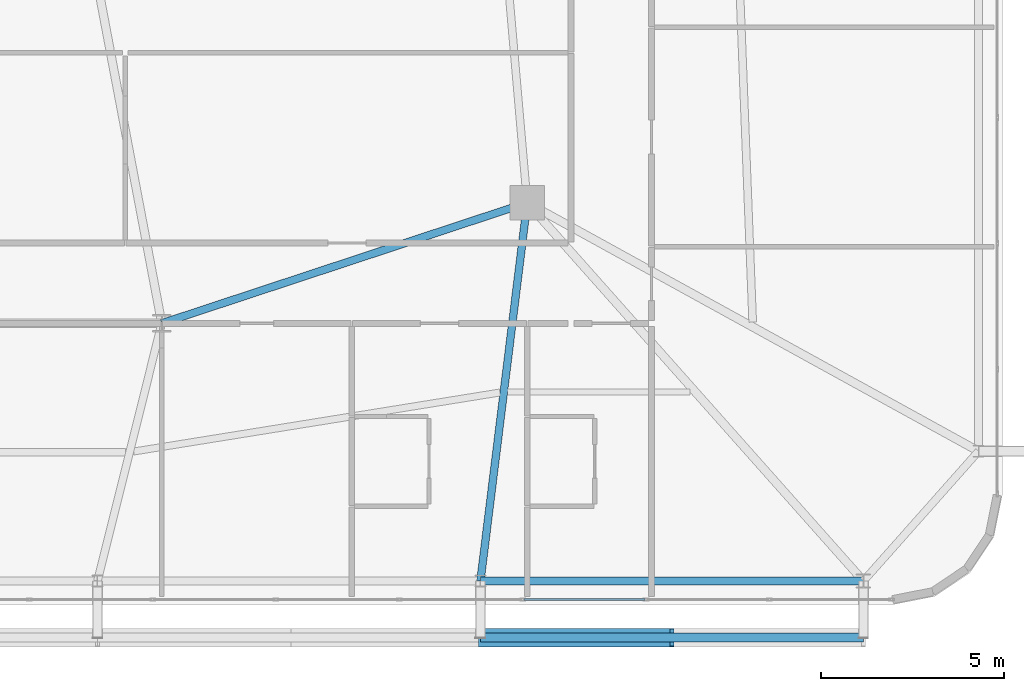
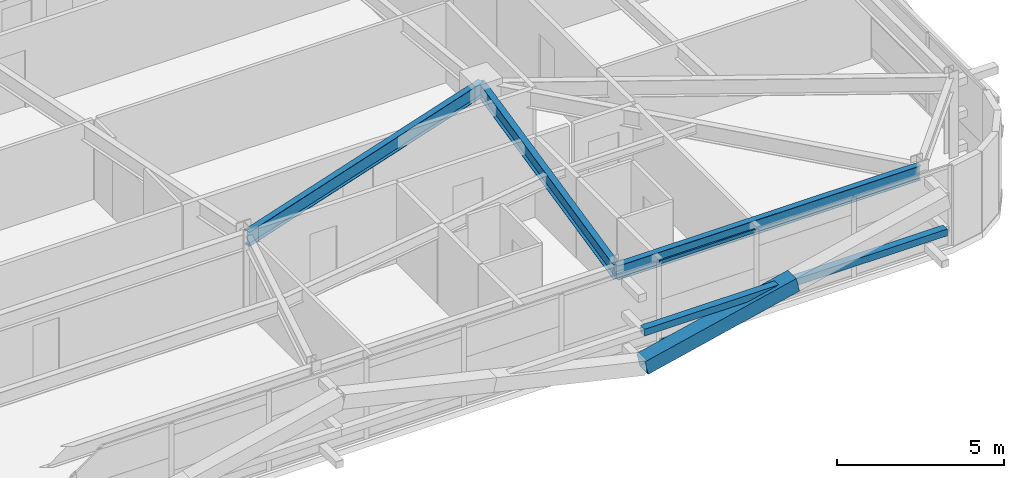
# One storey, part 22 of 59: 4 members, 3 beams, 1 element without a shape of its own.
"""IFC4 building model written with IfcOpenShell, lengths in metres."""

from ifc_helpers import new_model, si_unit, direction, frame, origin, origin_2d, place, context, subcontext, project, spatial, hollow_rectangle, i_section, extrude, source, transform, mapped, material, layer, layer_set, material_profile, profile_set, type_object, element, aggregate, save


model = new_model("IFC4")

# Units and contexts
model_context = context("Model", 3, precision=1e-05, world=origin(), true_north=direction((0.0, 1.0)))
body_context = subcontext(model_context, "Body", "Model", "MODEL_VIEW")
ifc_project = project(units=[si_unit("LENGTHUNIT", "METRE"), si_unit("AREAUNIT", "SQUARE_METRE"), si_unit("VOLUMEUNIT", "CUBIC_METRE"), si_unit("PLANEANGLEUNIT", "RADIAN"), si_unit("MASSUNIT", "GRAM", prefix="KILO")], contexts=[model_context])

# Site, building, storey
site_placement = place(None, origin())
site = spatial("IfcSite", under=ifc_project, at=site_placement, CompositionType="ELEMENT")
building_placement = place(site_placement, origin())
building = spatial("IfcBuilding", under=site, at=building_placement, Name="Taldren Reach Tower", CompositionType="ELEMENT")
storey_placement = place(building_placement, frame((0.0, 0.0, 29.39990234375)))
storey = spatial("IfcBuildingStorey", under=building, at=storey_placement, Name="L08", CompositionType="ELEMENT", Elevation=29.39990234375)

# Beams
ifc_material_1 = material(Name="Steel Gr 350 (350PLUS)", Category="steel")
ifc_material_profile_1 = material_profile(ifc_material_1, i_section(OverallWidth=0.208984375, OverallDepth=0.532958984375, WebThickness=0.01025390625, FlangeThickness=0.015625, at=origin_2d()), Name="530UB92.4")
ifc_profile_set_1 = profile_set([ifc_material_profile_1], Name="Steel Gr 350 (350PLUS)")
beam_type_1 = type_object("IfcBeamType", Name="BM-UB530A", PredefinedType="BEAM", material=ifc_profile_set_1)
shared_shape_1 = source(origin(), body_context, "Body", "SweptSolid", [
    extrude(i_section(OverallWidth=0.208984375, OverallDepth=0.532958984375, WebThickness=0.01025390625, FlangeThickness=0.015625, at=origin_2d()), origin(), (0.0, 0.0, 1.0), 10.530517578125),
])
beam_1_placement = place(storey_placement, frame((42.0, 9.199951171875, 2.66357421875), z_axis=(0.949627269203, 0.313381635689, 0.0), x_axis=(-0.313381635689, 0.949627269203, 0.0)))
element("IfcBeam", 1, at=beam_1_placement, inside=storey, type_object=beam_type_1, Name="Core-spine girder L08-SP12", PredefinedType="BEAM", context=body_context, shape_type="MappedRepresentation", body=[
    mapped(shared_shape_1, transform((0.0, 0.0, 0.0), scale=1.0)),
])
ifc_material_profile_2 = material_profile(ifc_material_1, i_section(OverallWidth=0.208984375, OverallDepth=0.528076171875, WebThickness=0.009521484375, FlangeThickness=0.01318359375, at=origin_2d()), Name="530UB82.0")
ifc_profile_set_2 = profile_set([ifc_material_profile_2], Name="Steel Gr 350 (350PLUS)")
beam_type_2 = type_object("IfcBeamType", Name="SP-UB530B", PredefinedType="SPANDREL", material=ifc_profile_set_2)
shared_shape_2 = source(origin(), body_context, "Body", "SweptSolid", [
    extrude(i_section(OverallWidth=0.208984375, OverallDepth=0.528076171875, WebThickness=0.009521484375, FlangeThickness=0.01318359375, at=origin_2d()), origin(), (0.0, 0.0, 1.0), 10.47998046875),
])
beam_2_placement = place(storey_placement, frame((50.719970703125, 2.14990234375, 2.666015625), z_axis=(1.0, 0.0, 0.0), x_axis=(0.0, 1.0, 0.0)))
element("IfcBeam", 2, at=beam_2_placement, inside=storey, type_object=beam_type_2, Name="Perimeter spandrel B1 S5-S6 L08", PredefinedType="SPANDREL", context=body_context, shape_type="MappedRepresentation", body=[
    mapped(shared_shape_2, transform((0.0, 0.0, 0.0), scale=1.0)),
])
shared_shape_3 = source(origin(), body_context, "Body", "SweptSolid", [
    extrude(i_section(OverallWidth=0.208984375, OverallDepth=0.532958984375, WebThickness=0.01025390625, FlangeThickness=0.015625, at=origin_2d()), origin(), (0.0, 0.0, 1.0), 10.428955078125),
])
beam_3_placement = place(storey_placement, frame((52.0, 12.5, 2.66357421875), z_axis=(-0.122738080664, -0.992439098159, 0.0), x_axis=(0.992439098159, -0.122738080664, 0.0)))
element("IfcBeam", 3, at=beam_3_placement, inside=storey, type_object=beam_type_1, Name="Primary floor girder B1-S5 L08", PredefinedType="BEAM", context=body_context, shape_type="MappedRepresentation", body=[
    mapped(shared_shape_3, transform((0.0, 0.0, 0.0), scale=1.0)),
])

# Members
ifc_material_2 = material(Name="Steel Gr 450 (C450L0)", Category="steel")
ifc_material_profile_3 = material_profile(ifc_material_2, hollow_rectangle(XDim=0.510009765625, YDim=0.510009765625, WallThickness=0.02001953125, at=origin_2d()), Name="510x510x20.0SHS")
ifc_profile_set_3 = profile_set([ifc_material_profile_3], Name="Steel Gr 450 (C450L0)")
member_type_1 = type_object("IfcMemberType", Name="MB-EXO508", PredefinedType="BRACE", material=ifc_profile_set_3)
shared_shape_4 = source(origin(), body_context, "Body", "SweptSolid", [
    extrude(hollow_rectangle(XDim=0.510009765625, YDim=0.510009765625, WallThickness=0.02001953125, at=origin_2d()), origin(), (0.0, 0.0, 1.0), 5.37890625),
])
member_1_placement = place(storey_placement, frame((50.719970703125, 0.60009765625, 0.22021484375), z_axis=(0.974161966843, 0.0, 0.225850531007), x_axis=(0.0, 1.0, 0.0)))
element("IfcMember", 4, at=member_1_placement, inside=storey, type_object=member_type_1, Name="Exoskeleton Diagrid Brace B1-S5 L08", PredefinedType="BRACE", context=body_context, shape_type="MappedRepresentation", body=[
    mapped(shared_shape_4, transform((0.0, 0.0, 0.0), scale=1.0)),
])
ifc_material_3 = material(Name="Steel Gr 350 (C350L0)", Category="steel")
ifc_material_profile_4 = material_profile(ifc_material_3, hollow_rectangle(XDim=0.25, YDim=0.25, WallThickness=0.010009765625, at=origin_2d()), Name="250x250x10.0SHS")
ifc_profile_set_4 = profile_set([ifc_material_profile_4], Name="Steel Gr 350 (C350L0)")
member_type_2 = type_object("IfcMemberType", Name="MB-POST250", PredefinedType="POST", material=ifc_profile_set_4)
shared_shape_5 = source(origin(), body_context, "Body", "SweptSolid", [
    extrude(hollow_rectangle(XDim=0.25, YDim=0.25, WallThickness=0.010009765625, at=origin_2d()), origin(), (0.0, 0.0, 1.0), 10.47998046875),
])
member_2_placement = place(storey_placement, frame((50.719970703125, 0.60009765625, 1.43505859375), z_axis=(1.0, 0.0, 0.0), x_axis=(0.0, 1.0, 0.0)))
element("IfcMember", 5, at=member_2_placement, inside=storey, type_object=member_type_2, Name="Exoskeleton mid-height ring chord B1-S5 L08", PredefinedType="POST", context=body_context, shape_type="MappedRepresentation", body=[
    mapped(shared_shape_5, transform((0.0, 0.0, 0.0), scale=1.0)),
])

# Curtain wall, members
ifc_material_4 = material(Name="Aluminium and Low-E Glass Unitised System", Category="aluminium")
ifc_layer = layer(ifc_material_4, 0.159912109375)
ifc_layer_set = layer_set([ifc_layer], Name="Aluminium and Low-E Glass Unitised System")
curtain_wall_type = type_object("IfcCurtainWallType", Name="CW-SYS-2", PredefinedType="NOTDEFINED", material=ifc_layer_set)
curtain_wall_placement = place(storey_placement, origin())
curtain_wall = element("IfcCurtainWall", 6, at=curtain_wall_placement, inside=storey, type_object=curtain_wall_type, Name="Unitised curtain wall CW-L08-S", PredefinedType="NOTDEFINED")
ifc_material_5 = material(Name="Anodised Aluminium 6063-T6", Category="aluminium")
ifc_material_profile_5 = material_profile(ifc_material_5, hollow_rectangle(XDim=0.054931640625, YDim=0.1201171875, WallThickness=0.0029296875, at=origin_2d()), Name="ALU-120x55x3RHS")
ifc_profile_set_5 = profile_set([ifc_material_profile_5], Name="Anodised Aluminium 6063-T6")
member_type_3 = type_object("IfcMemberType", Name="CW-TRN-135", PredefinedType="USERDEFINED", material=ifc_profile_set_5)
shared_shape_6 = source(origin(), body_context, "Body", "SweptSolid", [
    extrude(hollow_rectangle(XDim=0.054931640625, YDim=0.1201171875, WallThickness=0.0029296875, at=origin_2d()), origin(), (0.0, 0.0, 1.0), 3.31005859375),
])
member_3_placement = place(storey_placement, frame((51.907470703125, 1.639892578125, 0.027587890625), z_axis=(1.0, 0.0, 0.0), x_axis=(0.0, 1.0, 0.0)))
member_3 = element("IfcMember", 7, at=member_3_placement, type_object=member_type_3, Name="CW-2 transom 14.1", ObjectType="TRANSOM", PredefinedType="USERDEFINED", context=body_context, shape_type="MappedRepresentation", body=[
    mapped(shared_shape_6, transform((0.0, 0.0, 0.0), scale=1.0)),
])
member_4_placement = place(storey_placement, frame((51.907470703125, 1.639892578125, 2.902587890625), z_axis=(1.0, 0.0, 0.0), x_axis=(0.0, 1.0, 0.0)))
member_4 = element("IfcMember", 8, at=member_4_placement, type_object=member_type_3, Name="CW-2 transom 14.2", ObjectType="TRANSOM", PredefinedType="USERDEFINED", context=body_context, shape_type="MappedRepresentation", body=[
    mapped(shared_shape_6, transform((0.0, 0.0, 0.0), scale=1.0)),
])
aggregate(curtain_wall, [member_3, member_4])

save(model, "model.ifc")
